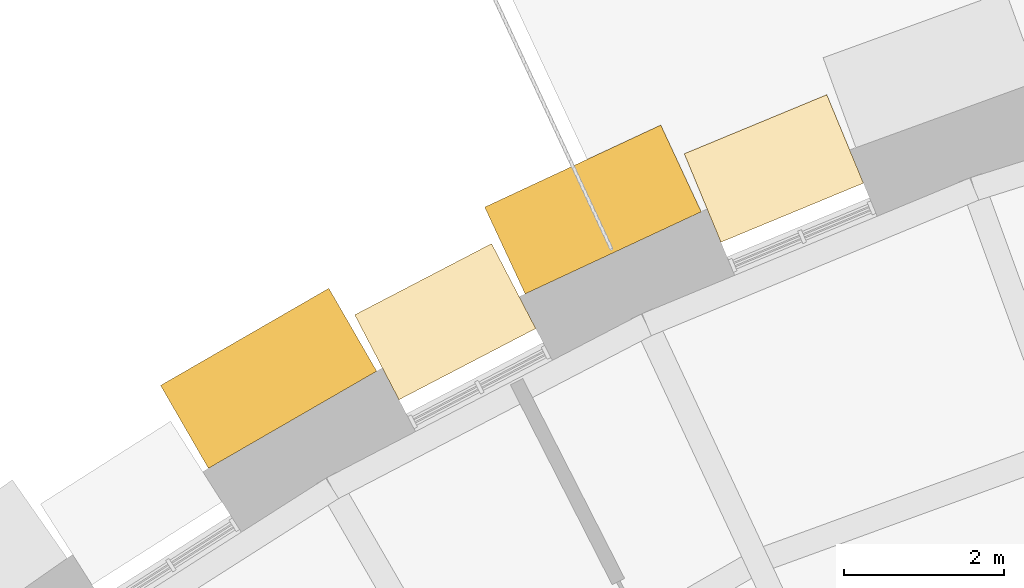
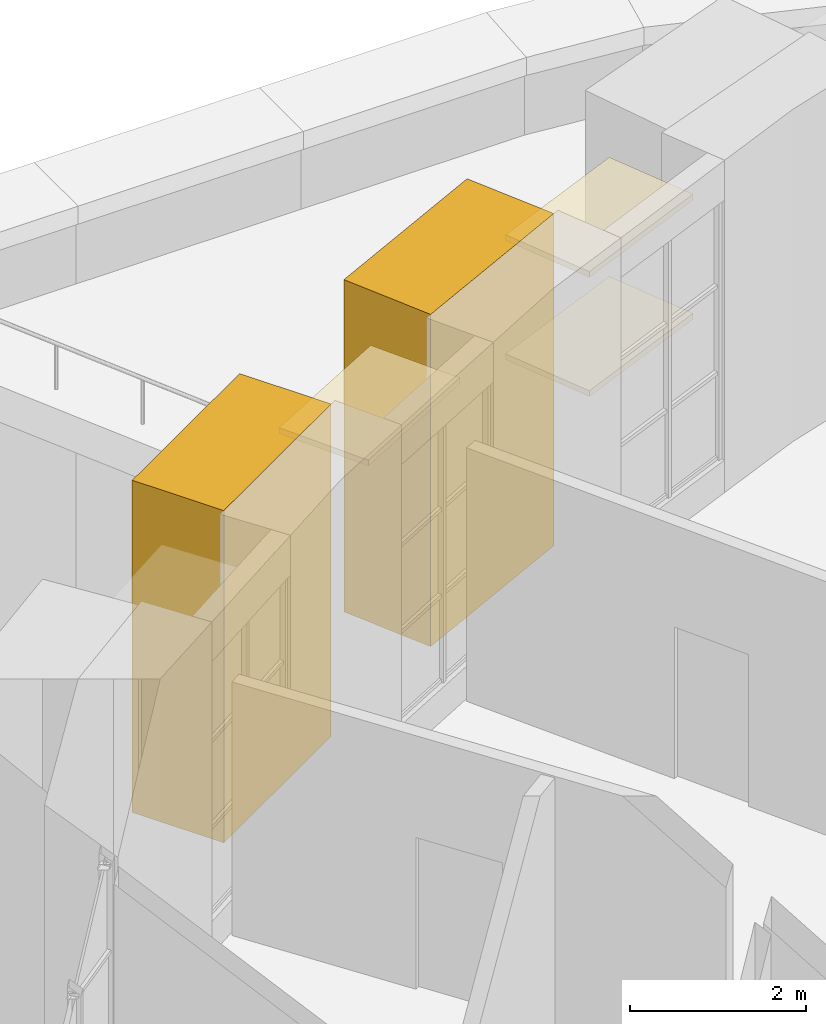
# One storey, part 77 of 85: 5 coverings.
"""IFC4 building model written with IfcOpenShell, lengths in metres."""

from ifc_helpers import new_model, si_unit, direction, frame, origin, origin_2d, place, context, subcontext, project, spatial, rectangle, extrude, material, layer, layer_set, type_object, element, save


model = new_model("IFC4")

# Units and contexts
model_context = context("Model", 3, precision=1e-05, world=origin(), true_north=direction((0.0, 1.0)))
body_context = subcontext(model_context, "Body", "Model", "MODEL_VIEW")
ifc_project = project(units=[si_unit("LENGTHUNIT", "METRE"), si_unit("AREAUNIT", "SQUARE_METRE"), si_unit("VOLUMEUNIT", "CUBIC_METRE"), si_unit("PLANEANGLEUNIT", "RADIAN"), si_unit("MASSUNIT", "GRAM", prefix="KILO")], contexts=[model_context])

# Site, building, storey
site_placement = place(None, origin())
site = spatial("IfcSite", under=ifc_project, at=site_placement, CompositionType="ELEMENT")
building_placement = place(site_placement, origin())
building = spatial("IfcBuilding", under=site, at=building_placement, Name="Volute Hill Aquarium", CompositionType="ELEMENT")
storey_placement = place(building_placement, origin())
storey = spatial("IfcBuildingStorey", under=building, at=storey_placement, Name="L01", CompositionType="ELEMENT", Elevation=0.0)

# Coverings
ifc_material_1 = material(Name="Aluminium, anodised", Category="aluminium")
ifc_layer = layer(ifc_material_1, 0.080078125)
ifc_layer_set = layer_set([ifc_layer], Name="Horizontal brise-soleil eyebrow 1200x80")
covering_type_1 = type_object("IfcCoveringType", Name="Horizontal brise-soleil eyebrow 1200x80", PredefinedType="CLADDING", material=ifc_layer_set)
for number, where, z_axis, x_axis, name in (
    (1, (-19.938232421875, 48.135009765625, 3.85986328125), (0.0, 0.0, 1.0), (-0.923880784882, -0.382680408861, 0.0), "Brise-soleil eyebrow BS S6 L01 4.1"),
    (2, (-19.938232421875, 48.135009765625, 2.2099609375), (0.0, 0.0, 1.0), (-0.923880784882, -0.382680408861, 0.0), "Brise-soleil eyebrow BS S6 L01 4.2"),
    (3, (-24.0576171875, 46.214111328125, 3.85986328125), (0.0, 0.0, 1.0), (-0.887005547579, -0.461758766635, 0.0), "Brise-soleil eyebrow BS S6 L01 5.1"),
):
    element("IfcCovering", number, at=place(storey_placement, frame(where, z_axis=z_axis, x_axis=x_axis)), inside=storey, type_object=covering_type_1, Name=name, PredefinedType="CLADDING", context=body_context, shape_type="SweptSolid", body=[
        extrude(rectangle(XDim=1.933837890625, YDim=1.199951171875, at=origin_2d()), origin(), (0.0, 0.0, 1.0), 0.080078125),
    ])
ifc_material_2 = material(Name="Precast concrete C40/50", Category="concrete")
covering_type_2 = type_object("IfcCoveringType", Name="Projecting pier precast concrete C40/50 2435x1200", PredefinedType="CLADDING", material=ifc_material_2)
for number, where, z_axis, x_axis, name in (
    (4, (-22.205810546875, 47.620849609375, 0.0), (0.0, 0.0, 1.0), (-0.906307787037, -0.422618261741, 0.0), "Projecting pier PP S6 L01 4"),
    (5, (-26.271728515625, 45.504150390625, 0.0), (0.0, 0.0, 1.0), (-0.866025403784, -0.5, 0.0), "Projecting pier PP S6 L01 5"),
):
    element("IfcCovering", number, at=place(storey_placement, frame(where, z_axis=z_axis, x_axis=x_axis)), inside=storey, type_object=covering_type_2, Name=name, PredefinedType="CLADDING", context=body_context, shape_type="SweptSolid", body=[
        extrude(rectangle(XDim=2.435302734375, YDim=1.199951171875, at=origin_2d()), origin(), (0.0, 0.0, 1.0), 4.60009765625),
    ])

save(model, "model.ifc")
